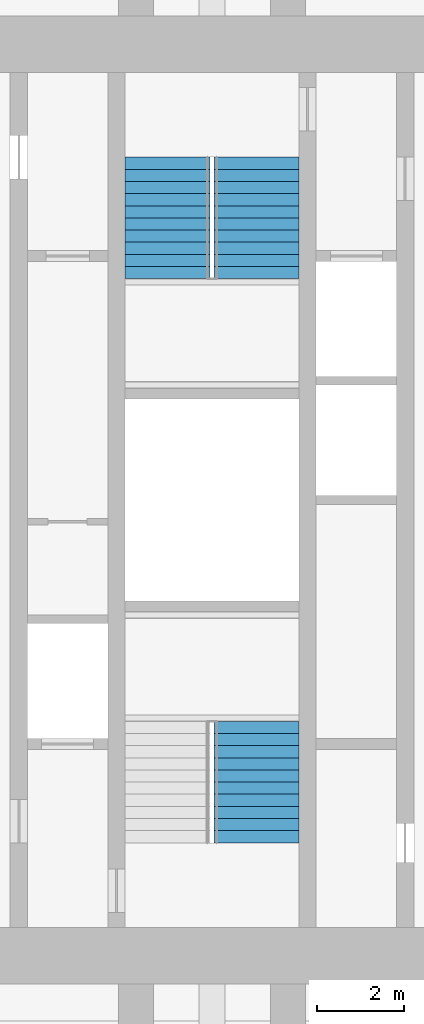
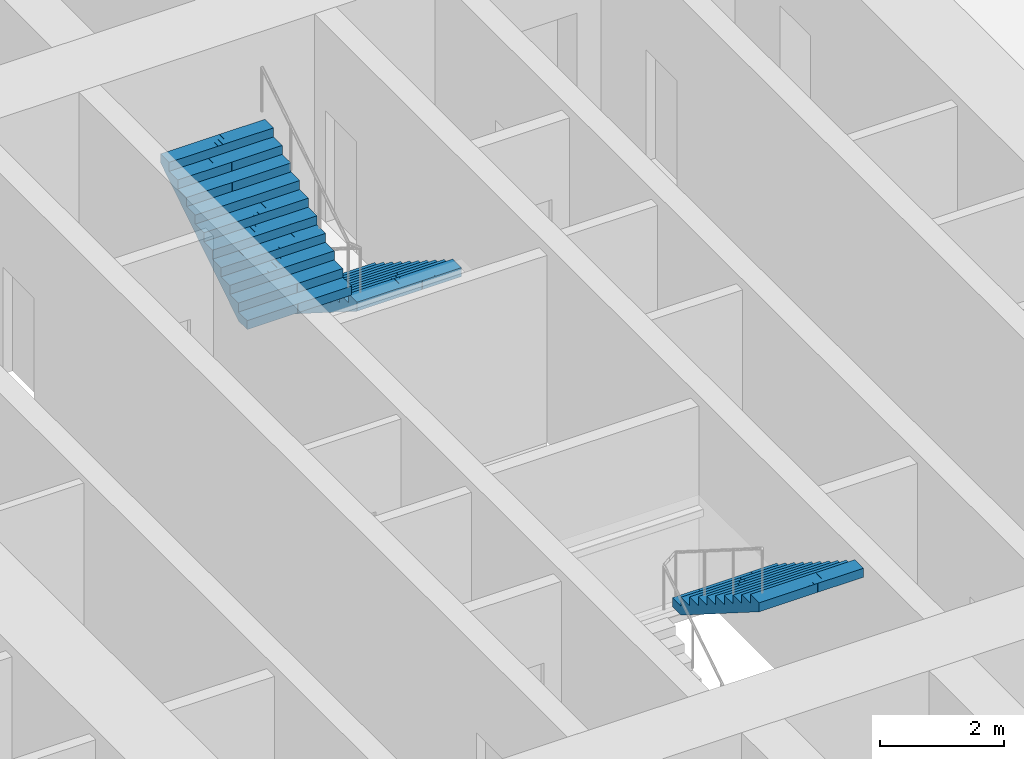
# One storey, part 16 of 17: 3 stair flights, 2 elements without a shape of their own.
"""IFC4 building model written with IfcOpenShell, lengths in metres."""

from ifc_helpers import new_model, si_unit, direction, frame, origin, place, context, subcontext, project, spatial, polyline, outline, extrude, material, type_object, element, aggregate, save


model = new_model("IFC4")

# Units and contexts
model_context = context("Model", 3, precision=1e-05, world=origin(), true_north=direction((0.0, 1.0)))
body_context = subcontext(model_context, "Body", "Model", "MODEL_VIEW")
ifc_project = project(units=[si_unit("LENGTHUNIT", "METRE"), si_unit("AREAUNIT", "SQUARE_METRE"), si_unit("VOLUMEUNIT", "CUBIC_METRE"), si_unit("PLANEANGLEUNIT", "RADIAN"), si_unit("MASSUNIT", "GRAM", prefix="KILO")], contexts=[model_context])

# Site, building, storey
site_placement = place(None, origin())
site = spatial("IfcSite", under=ifc_project, at=site_placement, CompositionType="ELEMENT")
building_placement = place(site_placement, origin())
building = spatial("IfcBuilding", under=site, at=building_placement, Name="Mizan Broadcast Tower", CompositionType="ELEMENT")
storey_placement = place(building_placement, frame((0.0, 0.0, 232.199951171875)))
storey = spatial("IfcBuildingStorey", under=building, at=storey_placement, Name="L54", CompositionType="ELEMENT", Elevation=232.199951171875)

# Stair, stair flight
ifc_material_1 = material(Name="Concrete C40/50", Category="concrete")
stair_type = type_object("IfcStairType", Name="EXIT STAIR", PredefinedType="HALF_TURN_STAIR", material=ifc_material_1)
stair_1_placement = place(storey_placement, origin())
stair_1 = element("IfcStair", 1, at=stair_1_placement, inside=storey, type_object=stair_type, Name="Stair A L54", PredefinedType="HALF_TURN_STAIR")
ifc_material_2 = material(Name="Concrete C40/50", Category="concrete")
stair_flight_type = type_object("IfcStairFlightType", Name="EXIT STAIR FLIGHT", PredefinedType="STRAIGHT", material=ifc_material_2)
stair_flight_1_placement = place(storey_placement, frame((1.02490234375, -5.10009765625, 1.949951171875), z_axis=(0.0, 0.0, 1.0), x_axis=(0.0, -1.0, 0.0)))
stair_flight_1 = element("IfcStairFlight", 2, at=stair_flight_1_placement, type_object=stair_flight_type, Name="A flight 2", NumberOfRisers=11, NumberOfTreads=10, PredefinedType="STRAIGHT", RiserHeight=0.177272727, TreadLength=0.28, context=body_context, shape_type="SweptSolid", body=[
    extrude(outline(polyline([(0.0, 0.0), (0.0, 0.17724609375), (0.280029296875, 0.17724609375), (0.280029296875, 0.3544921875), (0.56005859375, 0.3544921875), (0.56005859375, 0.53173828125), (0.840087890625, 0.53173828125), (0.840087890625, 0.708984375), (1.1201171875, 0.708984375), (1.1201171875, 0.886474609375), (1.39990234375, 0.886474609375), (1.39990234375, 1.063720703125), (1.679931640625, 1.063720703125), (1.679931640625, 1.240966796875), (1.9599609375, 1.240966796875), (1.9599609375, 1.418212890625), (2.239990234375, 1.418212890625), (2.239990234375, 1.595458984375), (2.52001953125, 1.595458984375), (2.52001953125, 1.772705078125), (2.800048828125, 1.772705078125), (2.800048828125, 1.949951171875), (2.800048828125, 1.59521484375), (0.2802734375, 0.0), (0.0, 0.0)])), frame((0.0, 0.97509765625, 0.0), z_axis=(0.0, -1.0, 0.0), x_axis=(1.0, 0.0, 0.0)), (0.0, 0.0, 1.0), 0.4873046875),
    extrude(outline(polyline([(0.0, 0.0), (0.0, 0.17724609375), (0.280029296875, 0.17724609375), (0.280029296875, 0.3544921875), (0.56005859375, 0.3544921875), (0.56005859375, 0.53173828125), (0.840087890625, 0.53173828125), (0.840087890625, 0.708984375), (1.1201171875, 0.708984375), (1.1201171875, 0.886474609375), (1.39990234375, 0.886474609375), (1.39990234375, 1.063720703125), (1.679931640625, 1.063720703125), (1.679931640625, 1.240966796875), (1.9599609375, 1.240966796875), (1.9599609375, 1.418212890625), (2.239990234375, 1.418212890625), (2.239990234375, 1.595458984375), (2.52001953125, 1.595458984375), (2.52001953125, 1.772705078125), (2.800048828125, 1.772705078125), (2.800048828125, 1.949951171875), (2.800048828125, 1.59521484375), (0.2802734375, 0.0), (0.0, 0.0)])), frame((0.0, 0.4873046875, 0.0), z_axis=(0.0, -1.0, 0.0), x_axis=(1.0, 0.0, 0.0)), (0.0, 0.0, 1.0), 0.2431640625),
    extrude(outline(polyline([(0.0, 0.0), (0.0, 0.17724609375), (0.280029296875, 0.17724609375), (0.280029296875, 0.3544921875), (0.56005859375, 0.3544921875), (0.56005859375, 0.53173828125), (0.840087890625, 0.53173828125), (0.840087890625, 0.708984375), (1.1201171875, 0.708984375), (1.1201171875, 0.886474609375), (1.39990234375, 0.886474609375), (1.39990234375, 1.063720703125), (1.679931640625, 1.063720703125), (1.679931640625, 1.240966796875), (1.9599609375, 1.240966796875), (1.9599609375, 1.418212890625), (2.239990234375, 1.418212890625), (2.239990234375, 1.595458984375), (2.52001953125, 1.595458984375), (2.52001953125, 1.772705078125), (2.800048828125, 1.772705078125), (2.800048828125, 1.949951171875), (2.800048828125, 1.59521484375), (0.2802734375, 0.0), (0.0, 0.0)])), frame((0.0, 0.24365234375, 0.0), z_axis=(0.0, -1.0, 0.0), x_axis=(1.0, 0.0, 0.0)), (0.0, 0.0, 1.0), 0.121337890625),
    extrude(outline(polyline([(0.0, 0.0), (0.0, 0.17724609375), (0.280029296875, 0.17724609375), (0.280029296875, 0.3544921875), (0.56005859375, 0.3544921875), (0.56005859375, 0.53173828125), (0.840087890625, 0.53173828125), (0.840087890625, 0.708984375), (1.1201171875, 0.708984375), (1.1201171875, 0.886474609375), (1.39990234375, 0.886474609375), (1.39990234375, 1.063720703125), (1.679931640625, 1.063720703125), (1.679931640625, 1.240966796875), (1.9599609375, 1.240966796875), (1.9599609375, 1.418212890625), (2.239990234375, 1.418212890625), (2.239990234375, 1.595458984375), (2.52001953125, 1.595458984375), (2.52001953125, 1.772705078125), (2.800048828125, 1.772705078125), (2.800048828125, 1.949951171875), (2.800048828125, 1.59521484375), (0.2802734375, 0.0), (0.0, 0.0)])), frame((0.0, 0.121826171875, 0.0), z_axis=(0.0, -1.0, 0.0), x_axis=(1.0, 0.0, 0.0)), (0.0, 0.0, 1.0), 0.060546875),
    extrude(outline(polyline([(0.0, 0.0), (0.0, 0.17724609375), (0.280029296875, 0.17724609375), (0.280029296875, 0.3544921875), (0.56005859375, 0.3544921875), (0.56005859375, 0.53173828125), (0.840087890625, 0.53173828125), (0.840087890625, 0.708984375), (1.1201171875, 0.708984375), (1.1201171875, 0.886474609375), (1.39990234375, 0.886474609375), (1.39990234375, 1.063720703125), (1.679931640625, 1.063720703125), (1.679931640625, 1.240966796875), (1.9599609375, 1.240966796875), (1.9599609375, 1.418212890625), (2.239990234375, 1.418212890625), (2.239990234375, 1.595458984375), (2.52001953125, 1.595458984375), (2.52001953125, 1.772705078125), (2.800048828125, 1.772705078125), (2.800048828125, 1.949951171875), (2.800048828125, 1.59521484375), (0.2802734375, 0.0), (0.0, 0.0)])), frame((0.0, 0.060791015625, 0.0), z_axis=(0.0, -1.0, 0.0), x_axis=(1.0, 0.0, 0.0)), (0.0, 0.0, 1.0), 0.030029296875),
    extrude(outline(polyline([(0.0, 0.0), (0.0, 0.17724609375), (0.280029296875, 0.17724609375), (0.280029296875, 0.3544921875), (0.56005859375, 0.3544921875), (0.56005859375, 0.53173828125), (0.840087890625, 0.53173828125), (0.840087890625, 0.708984375), (1.1201171875, 0.708984375), (1.1201171875, 0.886474609375), (1.39990234375, 0.886474609375), (1.39990234375, 1.063720703125), (1.679931640625, 1.063720703125), (1.679931640625, 1.240966796875), (1.9599609375, 1.240966796875), (1.9599609375, 1.418212890625), (2.239990234375, 1.418212890625), (2.239990234375, 1.595458984375), (2.52001953125, 1.595458984375), (2.52001953125, 1.772705078125), (2.800048828125, 1.772705078125), (2.800048828125, 1.949951171875), (2.800048828125, 1.59521484375), (0.2802734375, 0.0), (0.0, 0.0)])), frame((0.0, 0.0302734375, 0.0), z_axis=(0.0, -1.0, 0.0), x_axis=(1.0, 0.0, 0.0)), (0.0, 0.0, 1.0), 0.060302734375),
    extrude(outline(polyline([(0.0, 0.0), (0.0, 0.17724609375), (0.280029296875, 0.17724609375), (0.280029296875, 0.3544921875), (0.56005859375, 0.3544921875), (0.56005859375, 0.53173828125), (0.840087890625, 0.53173828125), (0.840087890625, 0.708984375), (1.1201171875, 0.708984375), (1.1201171875, 0.886474609375), (1.39990234375, 0.886474609375), (1.39990234375, 1.063720703125), (1.679931640625, 1.063720703125), (1.679931640625, 1.240966796875), (1.9599609375, 1.240966796875), (1.9599609375, 1.418212890625), (2.239990234375, 1.418212890625), (2.239990234375, 1.595458984375), (2.52001953125, 1.595458984375), (2.52001953125, 1.772705078125), (2.800048828125, 1.772705078125), (2.800048828125, 1.949951171875), (2.800048828125, 1.59521484375), (0.2802734375, 0.0), (0.0, 0.0)])), frame((0.0, -0.030517578125, 0.0), z_axis=(0.0, -1.0, 0.0), x_axis=(1.0, 0.0, 0.0)), (0.0, 0.0, 1.0), 0.030029296875),
    extrude(outline(polyline([(0.0, 0.0), (0.0, 0.17724609375), (0.280029296875, 0.17724609375), (0.280029296875, 0.3544921875), (0.56005859375, 0.3544921875), (0.56005859375, 0.53173828125), (0.840087890625, 0.53173828125), (0.840087890625, 0.708984375), (1.1201171875, 0.708984375), (1.1201171875, 0.886474609375), (1.39990234375, 0.886474609375), (1.39990234375, 1.063720703125), (1.679931640625, 1.063720703125), (1.679931640625, 1.240966796875), (1.9599609375, 1.240966796875), (1.9599609375, 1.418212890625), (2.239990234375, 1.418212890625), (2.239990234375, 1.595458984375), (2.52001953125, 1.595458984375), (2.52001953125, 1.772705078125), (2.800048828125, 1.772705078125), (2.800048828125, 1.949951171875), (2.800048828125, 1.59521484375), (0.2802734375, 0.0), (0.0, 0.0)])), frame((0.0, -0.06103515625, 0.0), z_axis=(0.0, -1.0, 0.0), x_axis=(1.0, 0.0, 0.0)), (0.0, 0.0, 1.0), 0.060546875),
    extrude(outline(polyline([(0.0, 0.0), (0.0, 0.17724609375), (0.280029296875, 0.17724609375), (0.280029296875, 0.3544921875), (0.56005859375, 0.3544921875), (0.56005859375, 0.53173828125), (0.840087890625, 0.53173828125), (0.840087890625, 0.708984375), (1.1201171875, 0.708984375), (1.1201171875, 0.886474609375), (1.39990234375, 0.886474609375), (1.39990234375, 1.063720703125), (1.679931640625, 1.063720703125), (1.679931640625, 1.240966796875), (1.9599609375, 1.240966796875), (1.9599609375, 1.418212890625), (2.239990234375, 1.418212890625), (2.239990234375, 1.595458984375), (2.52001953125, 1.595458984375), (2.52001953125, 1.772705078125), (2.800048828125, 1.772705078125), (2.800048828125, 1.949951171875), (2.800048828125, 1.59521484375), (0.2802734375, 0.0), (0.0, 0.0)])), frame((0.0, -0.1220703125, 0.0), z_axis=(0.0, -1.0, 0.0), x_axis=(1.0, 0.0, 0.0)), (0.0, 0.0, 1.0), 0.121337890625),
    extrude(outline(polyline([(0.0, 0.0), (0.0, 0.17724609375), (0.280029296875, 0.17724609375), (0.280029296875, 0.3544921875), (0.56005859375, 0.3544921875), (0.56005859375, 0.53173828125), (0.840087890625, 0.53173828125), (0.840087890625, 0.708984375), (1.1201171875, 0.708984375), (1.1201171875, 0.886474609375), (1.39990234375, 0.886474609375), (1.39990234375, 1.063720703125), (1.679931640625, 1.063720703125), (1.679931640625, 1.240966796875), (1.9599609375, 1.240966796875), (1.9599609375, 1.418212890625), (2.239990234375, 1.418212890625), (2.239990234375, 1.595458984375), (2.52001953125, 1.595458984375), (2.52001953125, 1.772705078125), (2.800048828125, 1.772705078125), (2.800048828125, 1.949951171875), (2.800048828125, 1.59521484375), (0.2802734375, 0.0), (0.0, 0.0)])), frame((0.0, -0.243896484375, 0.0), z_axis=(0.0, -1.0, 0.0), x_axis=(1.0, 0.0, 0.0)), (0.0, 0.0, 1.0), 0.2431640625),
    extrude(outline(polyline([(0.0, 0.0), (0.0, 0.17724609375), (0.280029296875, 0.17724609375), (0.280029296875, 0.3544921875), (0.56005859375, 0.3544921875), (0.56005859375, 0.53173828125), (0.840087890625, 0.53173828125), (0.840087890625, 0.708984375), (1.1201171875, 0.708984375), (1.1201171875, 0.886474609375), (1.39990234375, 0.886474609375), (1.39990234375, 1.063720703125), (1.679931640625, 1.063720703125), (1.679931640625, 1.240966796875), (1.9599609375, 1.240966796875), (1.9599609375, 1.418212890625), (2.239990234375, 1.418212890625), (2.239990234375, 1.595458984375), (2.52001953125, 1.595458984375), (2.52001953125, 1.772705078125), (2.800048828125, 1.772705078125), (2.800048828125, 1.949951171875), (2.800048828125, 1.59521484375), (0.2802734375, 0.0), (0.0, 0.0)])), frame((0.0, -0.487548828125, 0.0), z_axis=(0.0, -1.0, 0.0), x_axis=(1.0, 0.0, 0.0)), (0.0, 0.0, 1.0), 0.4873046875),
])
aggregate(stair_1, [stair_flight_1])

# Stair, stair flights
stair_2_placement = place(storey_placement, origin())
stair_2 = element("IfcStair", 3, at=stair_2_placement, inside=storey, type_object=stair_type, Name="Stair B L54", PredefinedType="HALF_TURN_STAIR")
stair_flight_2_placement = place(storey_placement, frame((1.02490234375, 7.89990234375, 0.0), z_axis=(0.0, 0.0, 1.0), x_axis=(0.0, -1.0, 0.0)))
stair_flight_2 = element("IfcStairFlight", 4, at=stair_flight_2_placement, type_object=stair_flight_type, Name="B flight 1", NumberOfRisers=11, NumberOfTreads=10, PredefinedType="STRAIGHT", RiserHeight=0.177272727, TreadLength=0.28, context=body_context, shape_type="SweptSolid", body=[
    extrude(outline(polyline([(0.0, 0.0), (0.0, 0.17724609375), (0.280029296875, 0.17724609375), (0.280029296875, 0.3544921875), (0.56005859375, 0.3544921875), (0.56005859375, 0.53173828125), (0.840087890625, 0.53173828125), (0.840087890625, 0.708984375), (1.1201171875, 0.708984375), (1.1201171875, 0.886474609375), (1.39990234375, 0.886474609375), (1.39990234375, 1.063720703125), (1.679931640625, 1.063720703125), (1.679931640625, 1.240966796875), (1.9599609375, 1.240966796875), (1.9599609375, 1.418212890625), (2.239990234375, 1.418212890625), (2.239990234375, 1.595458984375), (2.52001953125, 1.595458984375), (2.52001953125, 1.772705078125), (2.800048828125, 1.772705078125), (2.800048828125, 1.949951171875), (2.800048828125, 1.59521484375), (0.2802734375, 0.0), (0.0, 0.0)])), frame((0.0, 0.97509765625, 0.0), z_axis=(0.0, -1.0, 0.0), x_axis=(1.0, 0.0, 0.0)), (0.0, 0.0, 1.0), 0.4873046875),
    extrude(outline(polyline([(0.0, 0.0), (0.0, 0.17724609375), (0.280029296875, 0.17724609375), (0.280029296875, 0.3544921875), (0.56005859375, 0.3544921875), (0.56005859375, 0.53173828125), (0.840087890625, 0.53173828125), (0.840087890625, 0.708984375), (1.1201171875, 0.708984375), (1.1201171875, 0.886474609375), (1.39990234375, 0.886474609375), (1.39990234375, 1.063720703125), (1.679931640625, 1.063720703125), (1.679931640625, 1.240966796875), (1.9599609375, 1.240966796875), (1.9599609375, 1.418212890625), (2.239990234375, 1.418212890625), (2.239990234375, 1.595458984375), (2.52001953125, 1.595458984375), (2.52001953125, 1.772705078125), (2.800048828125, 1.772705078125), (2.800048828125, 1.949951171875), (2.800048828125, 1.59521484375), (0.2802734375, 0.0), (0.0, 0.0)])), frame((0.0, 0.4873046875, 0.0), z_axis=(0.0, -1.0, 0.0), x_axis=(1.0, 0.0, 0.0)), (0.0, 0.0, 1.0), 0.2431640625),
    extrude(outline(polyline([(0.0, 0.0), (0.0, 0.17724609375), (0.280029296875, 0.17724609375), (0.280029296875, 0.3544921875), (0.56005859375, 0.3544921875), (0.56005859375, 0.53173828125), (0.840087890625, 0.53173828125), (0.840087890625, 0.708984375), (1.1201171875, 0.708984375), (1.1201171875, 0.886474609375), (1.39990234375, 0.886474609375), (1.39990234375, 1.063720703125), (1.679931640625, 1.063720703125), (1.679931640625, 1.240966796875), (1.9599609375, 1.240966796875), (1.9599609375, 1.418212890625), (2.239990234375, 1.418212890625), (2.239990234375, 1.595458984375), (2.52001953125, 1.595458984375), (2.52001953125, 1.772705078125), (2.800048828125, 1.772705078125), (2.800048828125, 1.949951171875), (2.800048828125, 1.59521484375), (0.2802734375, 0.0), (0.0, 0.0)])), frame((0.0, 0.24365234375, 0.0), z_axis=(0.0, -1.0, 0.0), x_axis=(1.0, 0.0, 0.0)), (0.0, 0.0, 1.0), 0.121337890625),
    extrude(outline(polyline([(0.0, 0.0), (0.0, 0.17724609375), (0.280029296875, 0.17724609375), (0.280029296875, 0.3544921875), (0.56005859375, 0.3544921875), (0.56005859375, 0.53173828125), (0.840087890625, 0.53173828125), (0.840087890625, 0.708984375), (1.1201171875, 0.708984375), (1.1201171875, 0.886474609375), (1.39990234375, 0.886474609375), (1.39990234375, 1.063720703125), (1.679931640625, 1.063720703125), (1.679931640625, 1.240966796875), (1.9599609375, 1.240966796875), (1.9599609375, 1.418212890625), (2.239990234375, 1.418212890625), (2.239990234375, 1.595458984375), (2.52001953125, 1.595458984375), (2.52001953125, 1.772705078125), (2.800048828125, 1.772705078125), (2.800048828125, 1.949951171875), (2.800048828125, 1.59521484375), (0.2802734375, 0.0), (0.0, 0.0)])), frame((0.0, 0.121826171875, 0.0), z_axis=(0.0, -1.0, 0.0), x_axis=(1.0, 0.0, 0.0)), (0.0, 0.0, 1.0), 0.060546875),
    extrude(outline(polyline([(0.0, 0.0), (0.0, 0.17724609375), (0.280029296875, 0.17724609375), (0.280029296875, 0.3544921875), (0.56005859375, 0.3544921875), (0.56005859375, 0.53173828125), (0.840087890625, 0.53173828125), (0.840087890625, 0.708984375), (1.1201171875, 0.708984375), (1.1201171875, 0.886474609375), (1.39990234375, 0.886474609375), (1.39990234375, 1.063720703125), (1.679931640625, 1.063720703125), (1.679931640625, 1.240966796875), (1.9599609375, 1.240966796875), (1.9599609375, 1.418212890625), (2.239990234375, 1.418212890625), (2.239990234375, 1.595458984375), (2.52001953125, 1.595458984375), (2.52001953125, 1.772705078125), (2.800048828125, 1.772705078125), (2.800048828125, 1.949951171875), (2.800048828125, 1.59521484375), (0.2802734375, 0.0), (0.0, 0.0)])), frame((0.0, 0.060791015625, 0.0), z_axis=(0.0, -1.0, 0.0), x_axis=(1.0, 0.0, 0.0)), (0.0, 0.0, 1.0), 0.030029296875),
    extrude(outline(polyline([(0.0, 0.0), (0.0, 0.17724609375), (0.280029296875, 0.17724609375), (0.280029296875, 0.3544921875), (0.56005859375, 0.3544921875), (0.56005859375, 0.53173828125), (0.840087890625, 0.53173828125), (0.840087890625, 0.708984375), (1.1201171875, 0.708984375), (1.1201171875, 0.886474609375), (1.39990234375, 0.886474609375), (1.39990234375, 1.063720703125), (1.679931640625, 1.063720703125), (1.679931640625, 1.240966796875), (1.9599609375, 1.240966796875), (1.9599609375, 1.418212890625), (2.239990234375, 1.418212890625), (2.239990234375, 1.595458984375), (2.52001953125, 1.595458984375), (2.52001953125, 1.772705078125), (2.800048828125, 1.772705078125), (2.800048828125, 1.949951171875), (2.800048828125, 1.59521484375), (0.2802734375, 0.0), (0.0, 0.0)])), frame((0.0, 0.0302734375, 0.0), z_axis=(0.0, -1.0, 0.0), x_axis=(1.0, 0.0, 0.0)), (0.0, 0.0, 1.0), 0.060302734375),
    extrude(outline(polyline([(0.0, 0.0), (0.0, 0.17724609375), (0.280029296875, 0.17724609375), (0.280029296875, 0.3544921875), (0.56005859375, 0.3544921875), (0.56005859375, 0.53173828125), (0.840087890625, 0.53173828125), (0.840087890625, 0.708984375), (1.1201171875, 0.708984375), (1.1201171875, 0.886474609375), (1.39990234375, 0.886474609375), (1.39990234375, 1.063720703125), (1.679931640625, 1.063720703125), (1.679931640625, 1.240966796875), (1.9599609375, 1.240966796875), (1.9599609375, 1.418212890625), (2.239990234375, 1.418212890625), (2.239990234375, 1.595458984375), (2.52001953125, 1.595458984375), (2.52001953125, 1.772705078125), (2.800048828125, 1.772705078125), (2.800048828125, 1.949951171875), (2.800048828125, 1.59521484375), (0.2802734375, 0.0), (0.0, 0.0)])), frame((0.0, -0.030517578125, 0.0), z_axis=(0.0, -1.0, 0.0), x_axis=(1.0, 0.0, 0.0)), (0.0, 0.0, 1.0), 0.030029296875),
    extrude(outline(polyline([(0.0, 0.0), (0.0, 0.17724609375), (0.280029296875, 0.17724609375), (0.280029296875, 0.3544921875), (0.56005859375, 0.3544921875), (0.56005859375, 0.53173828125), (0.840087890625, 0.53173828125), (0.840087890625, 0.708984375), (1.1201171875, 0.708984375), (1.1201171875, 0.886474609375), (1.39990234375, 0.886474609375), (1.39990234375, 1.063720703125), (1.679931640625, 1.063720703125), (1.679931640625, 1.240966796875), (1.9599609375, 1.240966796875), (1.9599609375, 1.418212890625), (2.239990234375, 1.418212890625), (2.239990234375, 1.595458984375), (2.52001953125, 1.595458984375), (2.52001953125, 1.772705078125), (2.800048828125, 1.772705078125), (2.800048828125, 1.949951171875), (2.800048828125, 1.59521484375), (0.2802734375, 0.0), (0.0, 0.0)])), frame((0.0, -0.06103515625, 0.0), z_axis=(0.0, -1.0, 0.0), x_axis=(1.0, 0.0, 0.0)), (0.0, 0.0, 1.0), 0.060546875),
    extrude(outline(polyline([(0.0, 0.0), (0.0, 0.17724609375), (0.280029296875, 0.17724609375), (0.280029296875, 0.3544921875), (0.56005859375, 0.3544921875), (0.56005859375, 0.53173828125), (0.840087890625, 0.53173828125), (0.840087890625, 0.708984375), (1.1201171875, 0.708984375), (1.1201171875, 0.886474609375), (1.39990234375, 0.886474609375), (1.39990234375, 1.063720703125), (1.679931640625, 1.063720703125), (1.679931640625, 1.240966796875), (1.9599609375, 1.240966796875), (1.9599609375, 1.418212890625), (2.239990234375, 1.418212890625), (2.239990234375, 1.595458984375), (2.52001953125, 1.595458984375), (2.52001953125, 1.772705078125), (2.800048828125, 1.772705078125), (2.800048828125, 1.949951171875), (2.800048828125, 1.59521484375), (0.2802734375, 0.0), (0.0, 0.0)])), frame((0.0, -0.1220703125, 0.0), z_axis=(0.0, -1.0, 0.0), x_axis=(1.0, 0.0, 0.0)), (0.0, 0.0, 1.0), 0.121337890625),
    extrude(outline(polyline([(0.0, 0.0), (0.0, 0.17724609375), (0.280029296875, 0.17724609375), (0.280029296875, 0.3544921875), (0.56005859375, 0.3544921875), (0.56005859375, 0.53173828125), (0.840087890625, 0.53173828125), (0.840087890625, 0.708984375), (1.1201171875, 0.708984375), (1.1201171875, 0.886474609375), (1.39990234375, 0.886474609375), (1.39990234375, 1.063720703125), (1.679931640625, 1.063720703125), (1.679931640625, 1.240966796875), (1.9599609375, 1.240966796875), (1.9599609375, 1.418212890625), (2.239990234375, 1.418212890625), (2.239990234375, 1.595458984375), (2.52001953125, 1.595458984375), (2.52001953125, 1.772705078125), (2.800048828125, 1.772705078125), (2.800048828125, 1.949951171875), (2.800048828125, 1.59521484375), (0.2802734375, 0.0), (0.0, 0.0)])), frame((0.0, -0.243896484375, 0.0), z_axis=(0.0, -1.0, 0.0), x_axis=(1.0, 0.0, 0.0)), (0.0, 0.0, 1.0), 0.2431640625),
    extrude(outline(polyline([(0.0, 0.0), (0.0, 0.17724609375), (0.280029296875, 0.17724609375), (0.280029296875, 0.3544921875), (0.56005859375, 0.3544921875), (0.56005859375, 0.53173828125), (0.840087890625, 0.53173828125), (0.840087890625, 0.708984375), (1.1201171875, 0.708984375), (1.1201171875, 0.886474609375), (1.39990234375, 0.886474609375), (1.39990234375, 1.063720703125), (1.679931640625, 1.063720703125), (1.679931640625, 1.240966796875), (1.9599609375, 1.240966796875), (1.9599609375, 1.418212890625), (2.239990234375, 1.418212890625), (2.239990234375, 1.595458984375), (2.52001953125, 1.595458984375), (2.52001953125, 1.772705078125), (2.800048828125, 1.772705078125), (2.800048828125, 1.949951171875), (2.800048828125, 1.59521484375), (0.2802734375, 0.0), (0.0, 0.0)])), frame((0.0, -0.487548828125, 0.0), z_axis=(0.0, -1.0, 0.0), x_axis=(1.0, 0.0, 0.0)), (0.0, 0.0, 1.0), 0.4873046875),
])
stair_flight_3_placement = place(storey_placement, frame((-1.02490234375, 5.10009765625, 1.949951171875), z_axis=(0.0, 0.0, 1.0), x_axis=(0.0, 1.0, 0.0)))
stair_flight_3 = element("IfcStairFlight", 5, at=stair_flight_3_placement, type_object=stair_flight_type, Name="B flight 2", NumberOfRisers=11, NumberOfTreads=10, PredefinedType="STRAIGHT", RiserHeight=0.177272727, TreadLength=0.28, context=body_context, shape_type="SweptSolid", body=[
    extrude(outline(polyline([(0.0, 0.0), (0.0, 0.17724609375), (0.280029296875, 0.17724609375), (0.280029296875, 0.3544921875), (0.56005859375, 0.3544921875), (0.56005859375, 0.53173828125), (0.840087890625, 0.53173828125), (0.840087890625, 0.708984375), (1.1201171875, 0.708984375), (1.1201171875, 0.886474609375), (1.39990234375, 0.886474609375), (1.39990234375, 1.063720703125), (1.679931640625, 1.063720703125), (1.679931640625, 1.240966796875), (1.9599609375, 1.240966796875), (1.9599609375, 1.418212890625), (2.239990234375, 1.418212890625), (2.239990234375, 1.595458984375), (2.52001953125, 1.595458984375), (2.52001953125, 1.772705078125), (2.800048828125, 1.772705078125), (2.800048828125, 1.949951171875), (2.800048828125, 1.59521484375), (0.2802734375, 0.0), (0.0, 0.0)])), frame((0.0, 0.97509765625, 0.0), z_axis=(0.0, -1.0, 0.0), x_axis=(1.0, 0.0, 0.0)), (0.0, 0.0, 1.0), 0.4873046875),
    extrude(outline(polyline([(0.0, 0.0), (0.0, 0.17724609375), (0.280029296875, 0.17724609375), (0.280029296875, 0.3544921875), (0.56005859375, 0.3544921875), (0.56005859375, 0.53173828125), (0.840087890625, 0.53173828125), (0.840087890625, 0.708984375), (1.1201171875, 0.708984375), (1.1201171875, 0.886474609375), (1.39990234375, 0.886474609375), (1.39990234375, 1.063720703125), (1.679931640625, 1.063720703125), (1.679931640625, 1.240966796875), (1.9599609375, 1.240966796875), (1.9599609375, 1.418212890625), (2.239990234375, 1.418212890625), (2.239990234375, 1.595458984375), (2.52001953125, 1.595458984375), (2.52001953125, 1.772705078125), (2.800048828125, 1.772705078125), (2.800048828125, 1.949951171875), (2.800048828125, 1.59521484375), (0.2802734375, 0.0), (0.0, 0.0)])), frame((0.0, 0.4873046875, 0.0), z_axis=(0.0, -1.0, 0.0), x_axis=(1.0, 0.0, 0.0)), (0.0, 0.0, 1.0), 0.2431640625),
    extrude(outline(polyline([(0.0, 0.0), (0.0, 0.17724609375), (0.280029296875, 0.17724609375), (0.280029296875, 0.3544921875), (0.56005859375, 0.3544921875), (0.56005859375, 0.53173828125), (0.840087890625, 0.53173828125), (0.840087890625, 0.708984375), (1.1201171875, 0.708984375), (1.1201171875, 0.886474609375), (1.39990234375, 0.886474609375), (1.39990234375, 1.063720703125), (1.679931640625, 1.063720703125), (1.679931640625, 1.240966796875), (1.9599609375, 1.240966796875), (1.9599609375, 1.418212890625), (2.239990234375, 1.418212890625), (2.239990234375, 1.595458984375), (2.52001953125, 1.595458984375), (2.52001953125, 1.772705078125), (2.800048828125, 1.772705078125), (2.800048828125, 1.949951171875), (2.800048828125, 1.59521484375), (0.2802734375, 0.0), (0.0, 0.0)])), frame((0.0, 0.24365234375, 0.0), z_axis=(0.0, -1.0, 0.0), x_axis=(1.0, 0.0, 0.0)), (0.0, 0.0, 1.0), 0.121337890625),
    extrude(outline(polyline([(0.0, 0.0), (0.0, 0.17724609375), (0.280029296875, 0.17724609375), (0.280029296875, 0.3544921875), (0.56005859375, 0.3544921875), (0.56005859375, 0.53173828125), (0.840087890625, 0.53173828125), (0.840087890625, 0.708984375), (1.1201171875, 0.708984375), (1.1201171875, 0.886474609375), (1.39990234375, 0.886474609375), (1.39990234375, 1.063720703125), (1.679931640625, 1.063720703125), (1.679931640625, 1.240966796875), (1.9599609375, 1.240966796875), (1.9599609375, 1.418212890625), (2.239990234375, 1.418212890625), (2.239990234375, 1.595458984375), (2.52001953125, 1.595458984375), (2.52001953125, 1.772705078125), (2.800048828125, 1.772705078125), (2.800048828125, 1.949951171875), (2.800048828125, 1.59521484375), (0.2802734375, 0.0), (0.0, 0.0)])), frame((0.0, 0.121826171875, 0.0), z_axis=(0.0, -1.0, 0.0), x_axis=(1.0, 0.0, 0.0)), (0.0, 0.0, 1.0), 0.060546875),
    extrude(outline(polyline([(0.0, 0.0), (0.0, 0.17724609375), (0.280029296875, 0.17724609375), (0.280029296875, 0.3544921875), (0.56005859375, 0.3544921875), (0.56005859375, 0.53173828125), (0.840087890625, 0.53173828125), (0.840087890625, 0.708984375), (1.1201171875, 0.708984375), (1.1201171875, 0.886474609375), (1.39990234375, 0.886474609375), (1.39990234375, 1.063720703125), (1.679931640625, 1.063720703125), (1.679931640625, 1.240966796875), (1.9599609375, 1.240966796875), (1.9599609375, 1.418212890625), (2.239990234375, 1.418212890625), (2.239990234375, 1.595458984375), (2.52001953125, 1.595458984375), (2.52001953125, 1.772705078125), (2.800048828125, 1.772705078125), (2.800048828125, 1.949951171875), (2.800048828125, 1.59521484375), (0.2802734375, 0.0), (0.0, 0.0)])), frame((0.0, 0.060791015625, 0.0), z_axis=(0.0, -1.0, 0.0), x_axis=(1.0, 0.0, 0.0)), (0.0, 0.0, 1.0), 0.030029296875),
    extrude(outline(polyline([(0.0, 0.0), (0.0, 0.17724609375), (0.280029296875, 0.17724609375), (0.280029296875, 0.3544921875), (0.56005859375, 0.3544921875), (0.56005859375, 0.53173828125), (0.840087890625, 0.53173828125), (0.840087890625, 0.708984375), (1.1201171875, 0.708984375), (1.1201171875, 0.886474609375), (1.39990234375, 0.886474609375), (1.39990234375, 1.063720703125), (1.679931640625, 1.063720703125), (1.679931640625, 1.240966796875), (1.9599609375, 1.240966796875), (1.9599609375, 1.418212890625), (2.239990234375, 1.418212890625), (2.239990234375, 1.595458984375), (2.52001953125, 1.595458984375), (2.52001953125, 1.772705078125), (2.800048828125, 1.772705078125), (2.800048828125, 1.949951171875), (2.800048828125, 1.59521484375), (0.2802734375, 0.0), (0.0, 0.0)])), frame((0.0, 0.0302734375, 0.0), z_axis=(0.0, -1.0, 0.0), x_axis=(1.0, 0.0, 0.0)), (0.0, 0.0, 1.0), 0.060302734375),
    extrude(outline(polyline([(0.0, 0.0), (0.0, 0.17724609375), (0.280029296875, 0.17724609375), (0.280029296875, 0.3544921875), (0.56005859375, 0.3544921875), (0.56005859375, 0.53173828125), (0.840087890625, 0.53173828125), (0.840087890625, 0.708984375), (1.1201171875, 0.708984375), (1.1201171875, 0.886474609375), (1.39990234375, 0.886474609375), (1.39990234375, 1.063720703125), (1.679931640625, 1.063720703125), (1.679931640625, 1.240966796875), (1.9599609375, 1.240966796875), (1.9599609375, 1.418212890625), (2.239990234375, 1.418212890625), (2.239990234375, 1.595458984375), (2.52001953125, 1.595458984375), (2.52001953125, 1.772705078125), (2.800048828125, 1.772705078125), (2.800048828125, 1.949951171875), (2.800048828125, 1.59521484375), (0.2802734375, 0.0), (0.0, 0.0)])), frame((0.0, -0.030517578125, 0.0), z_axis=(0.0, -1.0, 0.0), x_axis=(1.0, 0.0, 0.0)), (0.0, 0.0, 1.0), 0.030029296875),
    extrude(outline(polyline([(0.0, 0.0), (0.0, 0.17724609375), (0.280029296875, 0.17724609375), (0.280029296875, 0.3544921875), (0.56005859375, 0.3544921875), (0.56005859375, 0.53173828125), (0.840087890625, 0.53173828125), (0.840087890625, 0.708984375), (1.1201171875, 0.708984375), (1.1201171875, 0.886474609375), (1.39990234375, 0.886474609375), (1.39990234375, 1.063720703125), (1.679931640625, 1.063720703125), (1.679931640625, 1.240966796875), (1.9599609375, 1.240966796875), (1.9599609375, 1.418212890625), (2.239990234375, 1.418212890625), (2.239990234375, 1.595458984375), (2.52001953125, 1.595458984375), (2.52001953125, 1.772705078125), (2.800048828125, 1.772705078125), (2.800048828125, 1.949951171875), (2.800048828125, 1.59521484375), (0.2802734375, 0.0), (0.0, 0.0)])), frame((0.0, -0.06103515625, 0.0), z_axis=(0.0, -1.0, 0.0), x_axis=(1.0, 0.0, 0.0)), (0.0, 0.0, 1.0), 0.060546875),
    extrude(outline(polyline([(0.0, 0.0), (0.0, 0.17724609375), (0.280029296875, 0.17724609375), (0.280029296875, 0.3544921875), (0.56005859375, 0.3544921875), (0.56005859375, 0.53173828125), (0.840087890625, 0.53173828125), (0.840087890625, 0.708984375), (1.1201171875, 0.708984375), (1.1201171875, 0.886474609375), (1.39990234375, 0.886474609375), (1.39990234375, 1.063720703125), (1.679931640625, 1.063720703125), (1.679931640625, 1.240966796875), (1.9599609375, 1.240966796875), (1.9599609375, 1.418212890625), (2.239990234375, 1.418212890625), (2.239990234375, 1.595458984375), (2.52001953125, 1.595458984375), (2.52001953125, 1.772705078125), (2.800048828125, 1.772705078125), (2.800048828125, 1.949951171875), (2.800048828125, 1.59521484375), (0.2802734375, 0.0), (0.0, 0.0)])), frame((0.0, -0.1220703125, 0.0), z_axis=(0.0, -1.0, 0.0), x_axis=(1.0, 0.0, 0.0)), (0.0, 0.0, 1.0), 0.121337890625),
    extrude(outline(polyline([(0.0, 0.0), (0.0, 0.17724609375), (0.280029296875, 0.17724609375), (0.280029296875, 0.3544921875), (0.56005859375, 0.3544921875), (0.56005859375, 0.53173828125), (0.840087890625, 0.53173828125), (0.840087890625, 0.708984375), (1.1201171875, 0.708984375), (1.1201171875, 0.886474609375), (1.39990234375, 0.886474609375), (1.39990234375, 1.063720703125), (1.679931640625, 1.063720703125), (1.679931640625, 1.240966796875), (1.9599609375, 1.240966796875), (1.9599609375, 1.418212890625), (2.239990234375, 1.418212890625), (2.239990234375, 1.595458984375), (2.52001953125, 1.595458984375), (2.52001953125, 1.772705078125), (2.800048828125, 1.772705078125), (2.800048828125, 1.949951171875), (2.800048828125, 1.59521484375), (0.2802734375, 0.0), (0.0, 0.0)])), frame((0.0, -0.243896484375, 0.0), z_axis=(0.0, -1.0, 0.0), x_axis=(1.0, 0.0, 0.0)), (0.0, 0.0, 1.0), 0.2431640625),
    extrude(outline(polyline([(0.0, 0.0), (0.0, 0.17724609375), (0.280029296875, 0.17724609375), (0.280029296875, 0.3544921875), (0.56005859375, 0.3544921875), (0.56005859375, 0.53173828125), (0.840087890625, 0.53173828125), (0.840087890625, 0.708984375), (1.1201171875, 0.708984375), (1.1201171875, 0.886474609375), (1.39990234375, 0.886474609375), (1.39990234375, 1.063720703125), (1.679931640625, 1.063720703125), (1.679931640625, 1.240966796875), (1.9599609375, 1.240966796875), (1.9599609375, 1.418212890625), (2.239990234375, 1.418212890625), (2.239990234375, 1.595458984375), (2.52001953125, 1.595458984375), (2.52001953125, 1.772705078125), (2.800048828125, 1.772705078125), (2.800048828125, 1.949951171875), (2.800048828125, 1.59521484375), (0.2802734375, 0.0), (0.0, 0.0)])), frame((0.0, -0.487548828125, 0.0), z_axis=(0.0, -1.0, 0.0), x_axis=(1.0, 0.0, 0.0)), (0.0, 0.0, 1.0), 0.4873046875),
])
aggregate(stair_2, [stair_flight_2, stair_flight_3])

save(model, "model.ifc")
